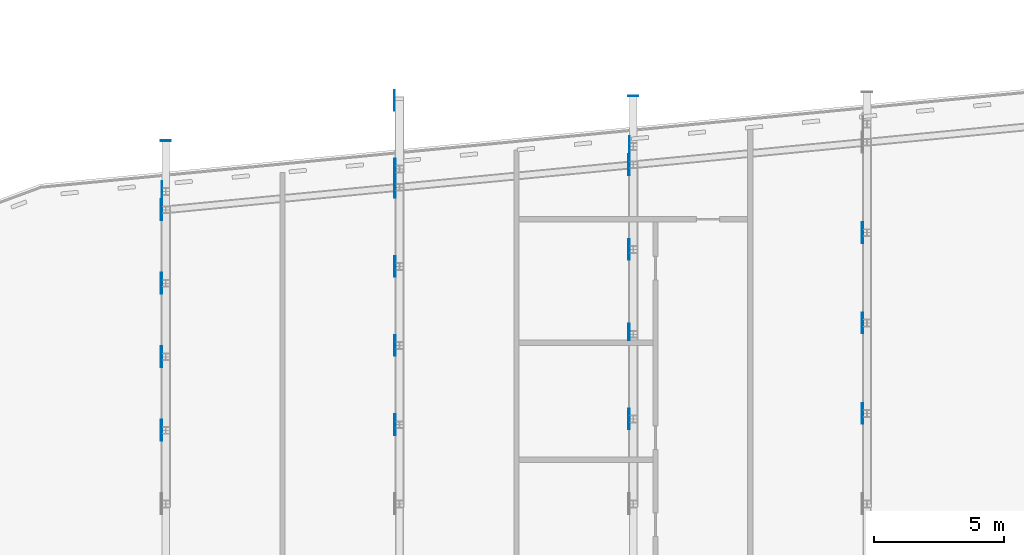
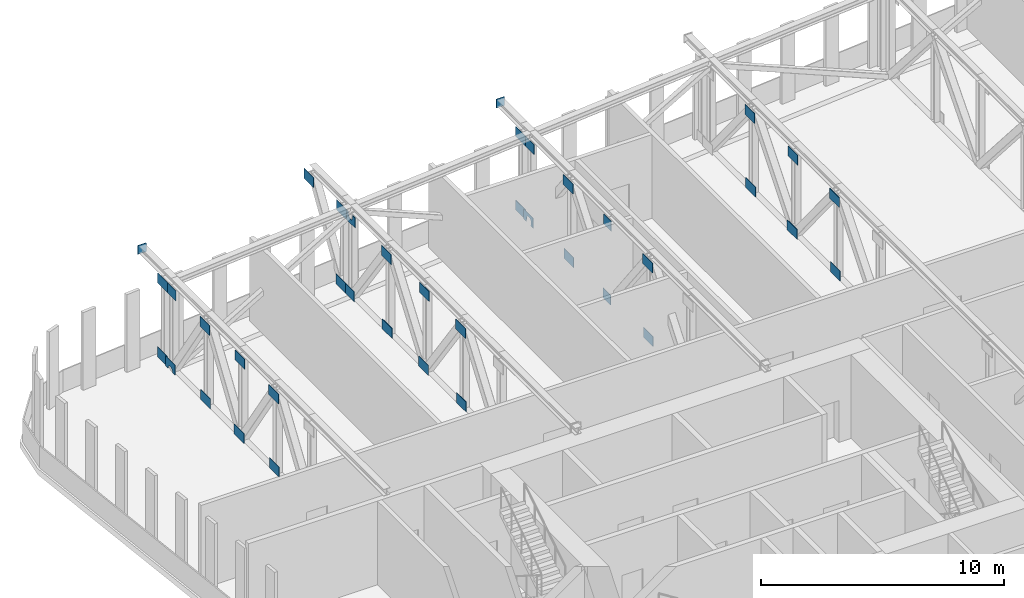
# One storey, part 16 of 26: 39 discrete accessories.
"""IFC4 building model written with IfcOpenShell, lengths in metres."""

from ifc_helpers import new_model, si_unit, direction, frame, origin, place, context, subcontext, project, spatial, polyline, outline, extrude, material, layer, layer_set, type_object, element, save


model = new_model("IFC4")

# Units and contexts
model_context = context("Model", 3, precision=1e-05, world=origin(), true_north=direction((0.0, 1.0)))
body_context = subcontext(model_context, "Body", "Model", "MODEL_VIEW")
ifc_project = project(units=[si_unit("LENGTHUNIT", "METRE"), si_unit("AREAUNIT", "SQUARE_METRE"), si_unit("VOLUMEUNIT", "CUBIC_METRE"), si_unit("PLANEANGLEUNIT", "RADIAN"), si_unit("MASSUNIT", "GRAM", prefix="KILO")], contexts=[model_context])

# Site, building, storey
site_placement = place(None, origin())
site = spatial("IfcSite", under=ifc_project, at=site_placement, CompositionType="ELEMENT")
building_placement = place(site_placement, origin())
building = spatial("IfcBuilding", under=site, at=building_placement, Name="Kajstack Hotel Tower", CompositionType="ELEMENT")
storey_placement = place(building_placement, frame((0.0, 0.0, 206.5)))
storey = spatial("IfcBuildingStorey", under=building, at=storey_placement, Name="L50", CompositionType="ELEMENT", Elevation=206.5)

# Discrete accessories
ifc_material = material(Name="Steel S355J2", Category="steel")
ifc_layer_1 = layer(ifc_material, 0.02490234375)
ifc_layer_set_1 = layer_set([ifc_layer_1], Name="END PLATE")
discrete_accessory_type_1 = type_object("IfcDiscreteAccessoryType", Name="END PLATE", PredefinedType="BRACKET", material=ifc_layer_set_1)
discrete_accessory_1_placement = place(storey_placement, frame((-36.0, 18.46923828125, 4.429931640625), z_axis=(0.0, 1.0, 0.0), x_axis=(-1.0, 0.0, 0.0)))
element("IfcDiscreteAccessory", 1, at=discrete_accessory_1_placement, inside=storey, type_object=discrete_accessory_type_1, Name="End plate L50-004", PredefinedType="BRACKET", context=body_context, shape_type="SweptSolid", body=[
    extrude(outline(polyline([(-0.199951171875, -0.219970703125), (0.199951171875, -0.219970703125), (0.199951171875, 0.219970703125), (-0.199951171875, 0.219970703125), (-0.199951171875, -0.219970703125)])), origin(), (0.0, 0.0, 1.0), 0.025146484375),
])
discrete_accessory_2_placement = place(storey_placement, frame((-18.0, 20.1865234375, 4.429931640625), z_axis=(0.0, 1.0, 0.0), x_axis=(-1.0, 0.0, 0.0)))
element("IfcDiscreteAccessory", 2, at=discrete_accessory_2_placement, inside=storey, type_object=discrete_accessory_type_1, Name="End plate L50-007", PredefinedType="BRACKET", context=body_context, shape_type="SweptSolid", body=[
    extrude(outline(polyline([(-0.199951171875, -0.219970703125), (0.199951171875, -0.219970703125), (0.199951171875, 0.219970703125), (-0.199951171875, 0.219970703125), (-0.199951171875, -0.219970703125)])), origin(), (0.0, 0.0, 1.0), 0.02490234375),
])
ifc_layer_2 = layer(ifc_material, 0.02001953125)
ifc_layer_set_2 = layer_set([ifc_layer_2], Name="GUSSET PLATE")
discrete_accessory_type_2 = type_object("IfcDiscreteAccessoryType", Name="GUSSET PLATE", PredefinedType="BRACKET", material=ifc_layer_set_2)
for number, where, z_axis, x_axis, name in (
    (3, (-36.159912109375, 7.330810546875, 0.0), (1.0, 0.0, 0.0), (0.0, 1.0, 0.0), "Gusset plate L50-462"),
    (4, (-36.195068359375, 7.330810546875, 3.699951171875), (1.0, 0.0, 0.0), (0.0, 1.0, 0.0), "Gusset plate L50-463"),
    (5, (-36.195068359375, 10.16162109375, 0.0), (1.0, 0.0, 0.0), (0.0, 1.0, 0.0), "Gusset plate L50-464"),
    (6, (-36.159912109375, 10.16162109375, 3.699951171875), (1.0, 0.0, 0.0), (0.0, 1.0, 0.0), "Gusset plate L50-465"),
    (7, (-36.159912109375, 12.9921875, 0.0), (1.0, 0.0, 0.0), (0.0, 1.0, 0.0), "Gusset plate L50-466"),
    (8, (-36.195068359375, 12.9921875, 3.699951171875), (1.0, 0.0, 0.0), (0.0, 1.0, 0.0), "Gusset plate L50-467"),
):
    element("IfcDiscreteAccessory", number, at=place(storey_placement, frame(where, z_axis=z_axis, x_axis=x_axis)), inside=storey, type_object=discrete_accessory_type_2, Name=name, PredefinedType="BRACKET", context=body_context, shape_type="SweptSolid", body=[
        extrude(outline(polyline([(-0.39990234375, 0.0), (0.39990234375, 0.0), (0.39990234375, 0.5), (-0.39990234375, 0.5), (-0.39990234375, 0.0)])), origin(), (0.0, 0.0, 1.0), 0.02001953125),
    ])
discrete_accessory_3_placement = place(storey_placement, frame((-36.195068359375, 15.822998046875, 0.0), z_axis=(1.0, 0.0, 0.0), x_axis=(0.0, 1.0, 0.0)))
element("IfcDiscreteAccessory", 9, at=discrete_accessory_3_placement, inside=storey, type_object=discrete_accessory_type_2, Name="Gusset plate L50-468", PredefinedType="BRACKET", context=body_context, shape_type="SweptSolid", body=[
    extrude(outline(polyline([(-0.39990234375, 0.0), (-0.190673828125, 0.0), (-0.181884765625, 0.043212890625), (-0.171142578125, 0.078125), (-0.153564453125, 0.1103515625), (-0.13037109375, 0.138671875), (-0.101806640625, 0.16162109375), (-0.069580078125, 0.1787109375), (-0.034423828125, 0.189208984375), (0.001953125, 0.192626953125), (0.038330078125, 0.18896484375), (0.073486328125, 0.17822265625), (0.105712890625, 0.160888671875), (0.1337890625, 0.137451171875), (0.156982421875, 0.109130859375), (0.174072265625, 0.07666015625), (0.1845703125, 0.04150390625), (0.187255859375, 0.0234375), (0.187744140625, 0.0), (0.39990234375, 0.0), (0.39990234375, 0.5), (-0.39990234375, 0.5), (-0.39990234375, 0.0)])), origin(), (0.0, 0.0, 1.0), 0.02001953125),
])
for number, where, z_axis, x_axis, name in (
    (10, (-36.159912109375, 15.822998046875, 3.699951171875), (1.0, 0.0, 0.0), (0.0, 1.0, 0.0), "Gusset plate L50-469"),
    (11, (-36.159912109375, 16.523193359375, 0.0), (1.0, 0.0, 0.0), (0.0, 1.0, 0.0), "Gusset plate L50-470"),
    (12, (-36.159912109375, 16.523193359375, 3.699951171875), (1.0, 0.0, 0.0), (0.0, 1.0, 0.0), "Gusset plate L50-471"),
    (13, (-27.159912109375, 7.54736328125, 0.0), (1.0, 0.0, 0.0), (0.0, 1.0, 0.0), "Gusset plate L50-474"),
    (14, (-27.195068359375, 7.54736328125, 3.699951171875), (1.0, 0.0, 0.0), (0.0, 1.0, 0.0), "Gusset plate L50-475"),
    (15, (-27.195068359375, 10.5947265625, 0.0), (1.0, 0.0, 0.0), (0.0, 1.0, 0.0), "Gusset plate L50-476"),
    (16, (-27.159912109375, 10.5947265625, 3.699951171875), (1.0, 0.0, 0.0), (0.0, 1.0, 0.0), "Gusset plate L50-477"),
    (17, (-27.159912109375, 13.642333984375, 0.0), (1.0, 0.0, 0.0), (0.0, 1.0, 0.0), "Gusset plate L50-478"),
    (18, (-27.195068359375, 13.642333984375, 3.699951171875), (1.0, 0.0, 0.0), (0.0, 1.0, 0.0), "Gusset plate L50-479"),
    (19, (-27.195068359375, 16.689697265625, 0.0), (1.0, 0.0, 0.0), (0.0, 1.0, 0.0), "Gusset plate L50-480"),
):
    element("IfcDiscreteAccessory", number, at=place(storey_placement, frame(where, z_axis=z_axis, x_axis=x_axis)), inside=storey, type_object=discrete_accessory_type_2, Name=name, PredefinedType="BRACKET", context=body_context, shape_type="SweptSolid", body=[
        extrude(outline(polyline([(-0.39990234375, 0.0), (0.39990234375, 0.0), (0.39990234375, 0.5), (-0.39990234375, 0.5), (-0.39990234375, 0.0)])), origin(), (0.0, 0.0, 1.0), 0.02001953125),
    ])
discrete_accessory_4_placement = place(storey_placement, frame((-27.159912109375, 16.689697265625, 3.699951171875), z_axis=(1.0, 0.0, 0.0), x_axis=(0.0, 1.0, 0.0)))
element("IfcDiscreteAccessory", 20, at=discrete_accessory_4_placement, inside=storey, type_object=discrete_accessory_type_2, Name="Gusset plate L50-481", PredefinedType="BRACKET", context=body_context, shape_type="SweptSolid", body=[
    extrude(outline(polyline([(0.39990234375, 0.5), (0.1875, 0.5), (0.177490234375, 0.466796875), (0.16748046875, 0.446533203125), (0.14501953125, 0.340576171875), (0.130859375, 0.306640625), (0.1103515625, 0.2763671875), (0.08447265625, 0.250732421875), (0.053955078125, 0.23046875), (0.037353515625, 0.22265625), (0.002197265625, 0.212158203125), (-0.0341796875, 0.208740234375), (-0.052490234375, 0.209716796875), (-0.08837890625, 0.217041015625), (-0.122314453125, 0.231201171875), (-0.152587890625, 0.251708984375), (-0.166015625, 0.263916015625), (-0.189208984375, 0.29248046875), (-0.198486328125, 0.30810546875), (-0.21240234375, 0.342041015625), (-0.216796875, 0.35986328125), (-0.22021484375, 0.396240234375), (-0.216552734375, 0.432861328125), (-0.202880859375, 0.5), (-0.39990234375, 0.5), (-0.39990234375, 0.0), (0.39990234375, 0.0), (0.39990234375, 0.5)])), origin(), (0.0, 0.0, 1.0), 0.02001953125),
])
for number, where, z_axis, x_axis, name in (
    (21, (-27.195068359375, 17.3896484375, 0.0), (1.0, 0.0, 0.0), (0.0, 1.0, 0.0), "Gusset plate L50-482"),
    (22, (-27.159912109375, 17.3896484375, 3.699951171875), (1.0, 0.0, 0.0), (0.0, 1.0, 0.0), "Gusset plate L50-483"),
    (23, (-27.195068359375, 20.029296875, 3.699951171875), (1.0, 0.0, 0.0), (0.0, 1.0, 0.0), "Gusset plate L50-484"),
    (24, (-18.159912109375, 7.76416015625, 0.0), (1.0, 0.0, 0.0), (0.0, 1.0, 0.0), "Gusset plate L50-487"),
    (25, (-18.195068359375, 7.76416015625, 3.699951171875), (1.0, 0.0, 0.0), (0.0, 1.0, 0.0), "Gusset plate L50-488"),
):
    element("IfcDiscreteAccessory", number, at=place(storey_placement, frame(where, z_axis=z_axis, x_axis=x_axis)), inside=storey, type_object=discrete_accessory_type_2, Name=name, PredefinedType="BRACKET", context=body_context, shape_type="SweptSolid", body=[
        extrude(outline(polyline([(-0.39990234375, 0.0), (0.39990234375, 0.0), (0.39990234375, 0.5), (-0.39990234375, 0.5), (-0.39990234375, 0.0)])), origin(), (0.0, 0.0, 1.0), 0.02001953125),
    ])
for number, where, z_axis, x_axis, name in (
    (26, (-18.195068359375, 11.0283203125, 0.0), (1.0, 0.0, 0.0), (0.0, 1.0, 0.0), "Gusset plate L50-489"),
    (27, (-18.159912109375, 11.0283203125, 3.699951171875), (1.0, 0.0, 0.0), (0.0, 1.0, 0.0), "Gusset plate L50-490"),
):
    element("IfcDiscreteAccessory", number, at=place(storey_placement, frame(where, z_axis=z_axis, x_axis=x_axis)), inside=storey, type_object=discrete_accessory_type_2, Name=name, PredefinedType="BRACKET", context=body_context, shape_type="SweptSolid", body=[
        extrude(outline(polyline([(0.39990234375, 0.5), (-0.22314453125, 0.5), (-0.22314453125, 0.0), (0.39990234375, 0.0), (0.39990234375, 0.5)])), origin(), (0.0, 0.0, 1.0), 0.02001953125),
    ])
for number, where, z_axis, x_axis, name in (
    (28, (-18.159912109375, 14.292236328125, 0.0), (1.0, 0.0, 0.0), (0.0, 1.0, 0.0), "Gusset plate L50-491"),
    (29, (-18.195068359375, 14.292236328125, 3.699951171875), (1.0, 0.0, 0.0), (0.0, 1.0, 0.0), "Gusset plate L50-492"),
):
    element("IfcDiscreteAccessory", number, at=place(storey_placement, frame(where, z_axis=z_axis, x_axis=x_axis)), inside=storey, type_object=discrete_accessory_type_2, Name=name, PredefinedType="BRACKET", context=body_context, shape_type="SweptSolid", body=[
        extrude(outline(polyline([(-0.39990234375, 0.0), (0.39990234375, 0.0), (0.39990234375, 0.5), (-0.39990234375, 0.5), (-0.39990234375, 0.0)])), origin(), (0.0, 0.0, 1.0), 0.02001953125),
    ])
discrete_accessory_5_placement = place(storey_placement, frame((-18.195068359375, 17.556396484375, 0.0), z_axis=(1.0, 0.0, 0.0), x_axis=(0.0, 1.0, 0.0)))
element("IfcDiscreteAccessory", 30, at=discrete_accessory_5_placement, inside=storey, type_object=discrete_accessory_type_2, Name="Gusset plate L50-493", PredefinedType="BRACKET", context=body_context, shape_type="SweptSolid", body=[
    extrude(outline(polyline([(-0.39990234375, 0.0), (-0.190673828125, 0.0), (-0.22265625, 0.161865234375), (-0.222900390625, 0.198486328125), (-0.2158203125, 0.234375), (-0.209716796875, 0.251708984375), (-0.192626953125, 0.2841796875), (-0.181640625, 0.298828125), (-0.16943359375, 0.3125), (-0.141357421875, 0.3359375), (-0.12548828125, 0.345458984375), (-0.091796875, 0.359619140625), (-0.055908203125, 0.366943359375), (-0.03759765625, 0.367919921875), (-0.001220703125, 0.364501953125), (0.033935546875, 0.35400390625), (0.050537109375, 0.34619140625), (0.0810546875, 0.325927734375), (0.10693359375, 0.30029296875), (0.117919921875, 0.285400390625), (0.135498046875, 0.253173828125), (0.146240234375, 0.21826171875), (0.17626953125, 0.0703125), (0.1845703125, 0.04150390625), (0.187255859375, 0.0234375), (0.187744140625, 0.0), (0.39990234375, 0.0), (0.39990234375, 0.5), (-0.39990234375, 0.5), (-0.39990234375, 0.0)])), origin(), (0.0, 0.0, 1.0), 0.02001953125),
])
for number, where, z_axis, x_axis, name in (
    (31, (-18.159912109375, 17.556396484375, 3.699951171875), (1.0, 0.0, 0.0), (0.0, 1.0, 0.0), "Gusset plate L50-494"),
    (32, (-18.159912109375, 18.25634765625, 0.0), (1.0, 0.0, 0.0), (0.0, 1.0, 0.0), "Gusset plate L50-495"),
    (33, (-18.159912109375, 18.25634765625, 3.699951171875), (1.0, 0.0, 0.0), (0.0, 1.0, 0.0), "Gusset plate L50-496"),
    (34, (-9.159912109375, 7.980712890625, 0.0), (1.0, 0.0, 0.0), (0.0, 1.0, 0.0), "Gusset plate L50-515"),
    (35, (-9.195068359375, 7.980712890625, 3.699951171875), (1.0, 0.0, 0.0), (0.0, 1.0, 0.0), "Gusset plate L50-516"),
    (36, (-9.195068359375, 11.46142578125, 0.0), (1.0, 0.0, 0.0), (0.0, 1.0, 0.0), "Gusset plate L50-517"),
    (37, (-9.159912109375, 11.46142578125, 3.699951171875), (1.0, 0.0, 0.0), (0.0, 1.0, 0.0), "Gusset plate L50-518"),
    (38, (-9.159912109375, 14.942138671875, 0.0), (1.0, 0.0, 0.0), (0.0, 1.0, 0.0), "Gusset plate L50-519"),
    (39, (-9.195068359375, 14.942138671875, 3.699951171875), (1.0, 0.0, 0.0), (0.0, 1.0, 0.0), "Gusset plate L50-520"),
):
    element("IfcDiscreteAccessory", number, at=place(storey_placement, frame(where, z_axis=z_axis, x_axis=x_axis)), inside=storey, type_object=discrete_accessory_type_2, Name=name, PredefinedType="BRACKET", context=body_context, shape_type="SweptSolid", body=[
        extrude(outline(polyline([(-0.39990234375, 0.0), (0.39990234375, 0.0), (0.39990234375, 0.5), (-0.39990234375, 0.5), (-0.39990234375, 0.0)])), origin(), (0.0, 0.0, 1.0), 0.02001953125),
    ])

save(model, "model.ifc")
